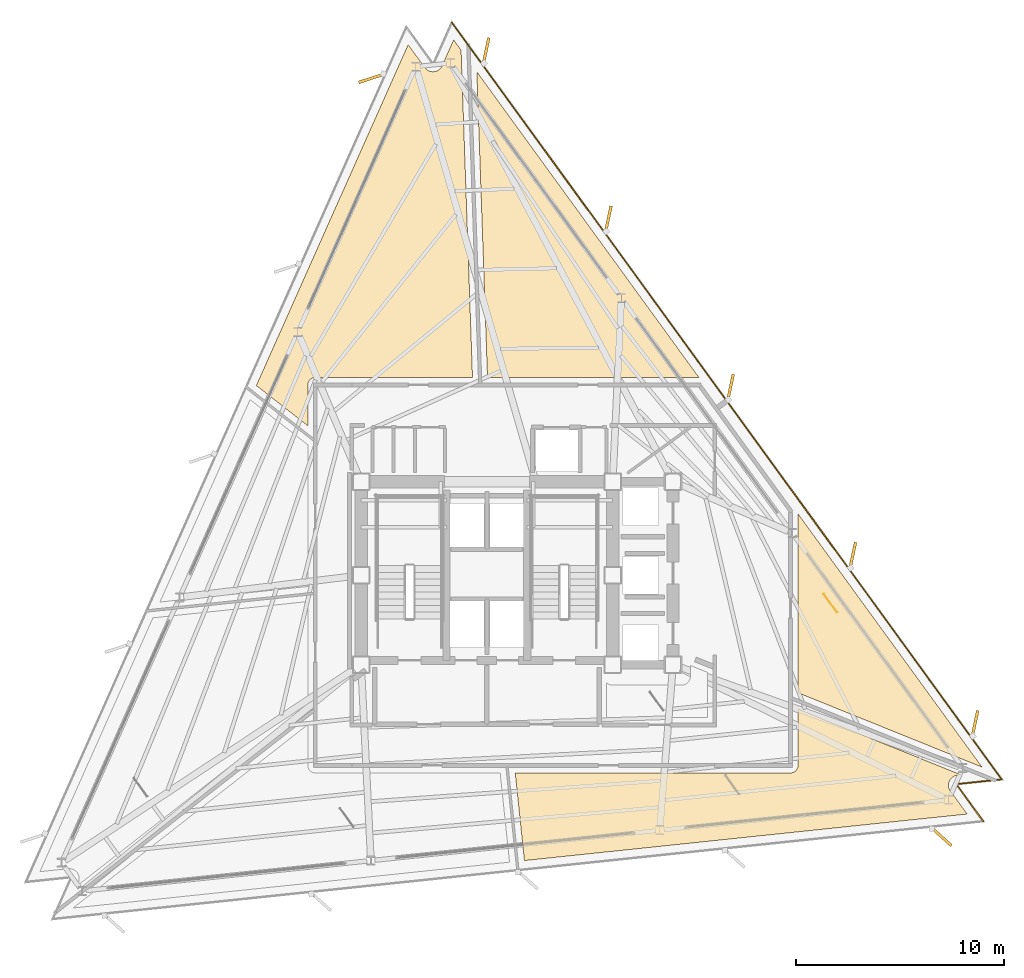
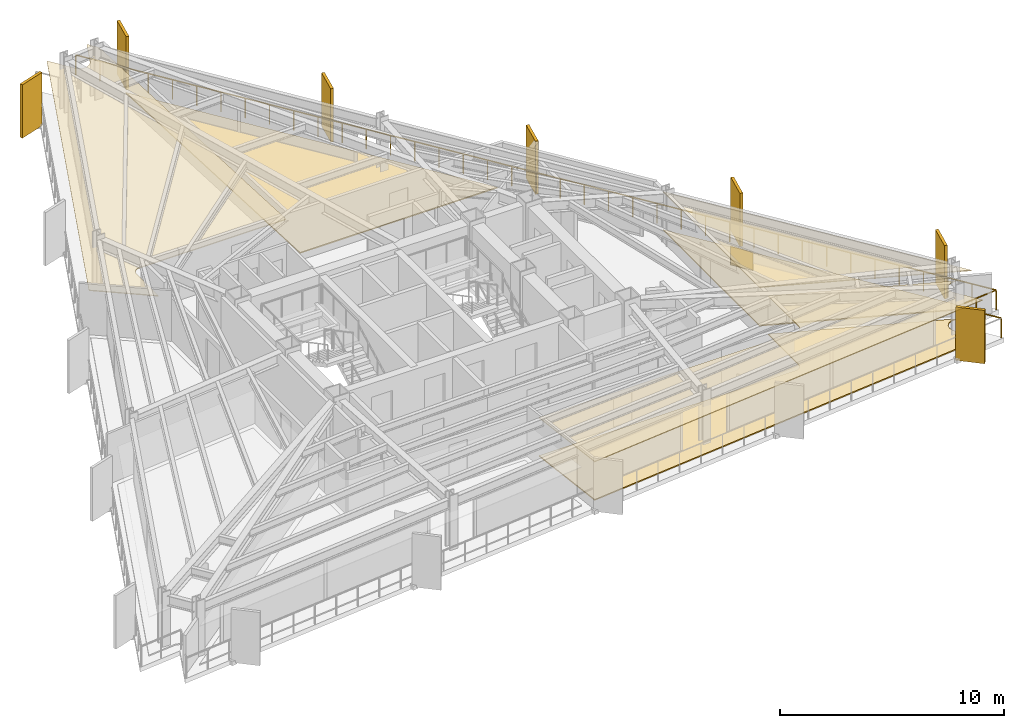
# One storey, part 12 of 12: 7 coverings, 7 shading devices, 1 railing.
"""IFC4 building model written with IfcOpenShell, lengths in metres."""

from ifc_helpers import new_model, si_unit, direction, frame, origin, origin_2d, place, context, subcontext, project, spatial, polyline, rectangle, outline, extrude, material, layer, layer_set, type_object, element, save


model = new_model("IFC4")

# Units and contexts
model_context = context("Model", 3, precision=1e-05, world=origin(), true_north=direction((0.0, 1.0)))
body_context = subcontext(model_context, "Body", "Model", "MODEL_VIEW")
ifc_project = project(units=[si_unit("LENGTHUNIT", "METRE"), si_unit("AREAUNIT", "SQUARE_METRE"), si_unit("VOLUMEUNIT", "CUBIC_METRE"), si_unit("PLANEANGLEUNIT", "RADIAN"), si_unit("MASSUNIT", "GRAM", prefix="KILO")], contexts=[model_context])

# Site, building, storey
site_placement = place(None, origin())
site = spatial("IfcSite", under=ifc_project, at=site_placement, CompositionType="ELEMENT")
building_placement = place(site_placement, origin())
building = spatial("IfcBuilding", under=site, at=building_placement, Name="Rocaltana Carrier Exchange", CompositionType="ELEMENT")
storey_placement = place(building_placement, frame((0.0, 0.0, 107.679931640625)))
storey = spatial("IfcBuildingStorey", under=building, at=storey_placement, Name="L33", CompositionType="ELEMENT", Elevation=107.679931640625)

# Coverings
ifc_material_1 = material(Name="Calcium Sulphate & Aluminium Pedestal", Category="aluminium")
ifc_layer_1 = layer(ifc_material_1, 0.06005859375)
ifc_layer_set_1 = layer_set([ifc_layer_1], Name="Calcium Sulphate & Aluminium Pedestal")
covering_type_1 = type_object("IfcCoveringType", Name="Anti-Static Raised Exchange Access Floor 60", PredefinedType="FLOORING", material=ifc_layer_set_1)
covering_1_placement = place(storey_placement, origin())
element("IfcCovering", 1, at=covering_1_placement, inside=storey, type_object=covering_type_1, Name="L33 Cloud Architecture Office Finish Floor", PredefinedType="FLOORING", context=body_context, shape_type="SweptSolid", body=[
    extrude(outline(polyline([(22.62939453125, -9.620361328125), (22.61572265625, -9.6220703125), (22.595947265625, -9.625244140625), (22.568603515625, -9.630859375), (22.54931640625, -9.635986328125), (22.522705078125, -9.644287109375), (22.50390625, -9.651123046875), (22.478271484375, -9.662109375), (22.46044921875, -9.6708984375), (22.43603515625, -9.684326171875), (22.4189453125, -9.69482421875), (22.39599609375, -9.710693359375), (22.380126953125, -9.722900390625), (22.35888671875, -9.74072265625), (22.344482421875, -9.75439453125), (22.324951171875, -9.774658203125), (22.311767578125, -9.78955078125), (22.294677734375, -9.8115234375), (22.282958984375, -9.82763671875), (22.26806640625, -9.851318359375), (22.258056640625, -9.86865234375), (22.24560546875, -9.8935546875), (22.2373046875, -9.91162109375), (22.227294921875, -9.937744140625), (22.220947265625, -9.956787109375), (22.213623046875, -9.983642578125), (22.209228515625, -10.0029296875), (22.20458984375, -10.030517578125), (22.2021484375, -10.05029296875), (22.2001953125, -10.078125), (22.19970703125, -10.09814453125), (22.20068359375, -10.1259765625), (22.202392578125, -10.14599609375), (22.205810546875, -10.173583984375), (22.20947265625, -10.193115234375), (22.2158203125, -10.220458984375), (22.22119140625, -10.239501953125), (22.230224609375, -10.26611328125), (22.23779296875, -10.284423828125), (22.249267578125, -10.309814453125), (22.258544921875, -10.32763671875), (22.272705078125, -10.351806640625), (22.283447265625, -10.368408203125), (22.29150390625, -10.3798828125), (23.095947265625, -11.487060546875), (1.804443359375, -13.724853515625), (1.361572265625, -9.510009765625), (14.60009765625, -9.510009765625), (14.61376953125, -9.509765625), (14.62158203125, -9.50927734375), (14.64892578125, -9.506591796875), (14.65673828125, -9.50537109375), (14.68359375, -9.5), (14.69140625, -9.498291015625), (14.717529296875, -9.490234375), (14.724853515625, -9.487548828125), (14.750244140625, -9.47705078125), (14.75732421875, -9.4736328125), (14.78173828125, -9.460693359375), (14.788330078125, -9.456787109375), (14.811279296875, -9.44140625), (14.8173828125, -9.436767578125), (14.8388671875, -9.419189453125), (14.844482421875, -9.4140625), (14.864013671875, -9.39453125), (14.869384765625, -9.388916015625), (14.88671875, -9.367431640625), (14.891357421875, -9.361083984375), (14.90673828125, -9.33837890625), (14.91064453125, -9.331787109375), (14.923583984375, -9.307373046875), (14.927001953125, -9.30029296875), (14.9375, -9.27490234375), (14.940185546875, -9.267578125), (14.9482421875, -9.2412109375), (14.9501953125, -9.233642578125), (14.955322265625, -9.206787109375), (14.95654296875, -9.198974609375), (14.959228515625, -9.171630859375), (14.959716796875, -9.163818359375), (14.9599609375, -9.14990234375), (14.9599609375, -6.4326171875), (22.8046875, -9.601806640625), (22.62939453125, -9.620361328125)])), origin(), (0.0, 0.0, 1.0), 0.06005859375),
])
covering_2_placement = place(storey_placement, origin())
element("IfcCovering", 2, at=covering_2_placement, inside=storey, type_object=covering_type_1, Name="L33 Peering Conference Room Finish Floor", PredefinedType="FLOORING", context=body_context, shape_type="SweptSolid", body=[
    extrude(outline(polyline([(14.9599609375, 2.952392578125), (23.813232421875, -9.23291015625), (14.9599609375, -5.656005859375), (14.9599609375, 2.952392578125)])), origin(), (0.0, 0.0, 1.0), 0.06005859375),
])
covering_3_placement = place(storey_placement, origin())
element("IfcCovering", 3, at=covering_3_placement, inside=storey, type_object=covering_type_1, Name="L33 Quiet Focus Lounge Finish Floor", PredefinedType="FLOORING", context=body_context, shape_type="SweptSolid", body=[
    extrude(outline(polyline([(10.19580078125, 9.510009765625), (0.028076171875, 9.510009765625), (-0.485107421875, 24.2109375), (10.19580078125, 9.510009765625)])), origin(), (0.0, 0.0, 1.0), 0.06005859375),
])
ifc_material_2 = material(Name="Mineral Fibre & Powder-Coated Aluminium", Category="aluminium")
ifc_layer_2 = layer(ifc_material_2, 0.044921875)
ifc_layer_set_2 = layer_set([ifc_layer_2], Name="Mineral Fibre & Powder-Coated Aluminium")
covering_type_2 = type_object("IfcCoveringType", Name="Micro-Perforated Acoustic Ceiling 45", PredefinedType="CEILING", material=ifc_layer_set_2)
covering_4_placement = place(storey_placement, frame((0.0, 0.0, 2.093017578125)))
element("IfcCovering", 4, at=covering_4_placement, inside=storey, type_object=covering_type_2, Name="L33 Cloud Architecture Office Acoustic Ceiling", PredefinedType="CEILING", context=body_context, shape_type="SweptSolid", body=[
    extrude(outline(polyline([(22.62939453125, -9.620361328125), (22.61572265625, -9.6220703125), (22.595947265625, -9.625244140625), (22.568603515625, -9.630859375), (22.54931640625, -9.635986328125), (22.522705078125, -9.644287109375), (22.50390625, -9.651123046875), (22.478271484375, -9.662109375), (22.46044921875, -9.6708984375), (22.43603515625, -9.684326171875), (22.4189453125, -9.69482421875), (22.39599609375, -9.710693359375), (22.380126953125, -9.722900390625), (22.35888671875, -9.74072265625), (22.344482421875, -9.75439453125), (22.324951171875, -9.774658203125), (22.311767578125, -9.78955078125), (22.294677734375, -9.8115234375), (22.282958984375, -9.82763671875), (22.26806640625, -9.851318359375), (22.258056640625, -9.86865234375), (22.24560546875, -9.8935546875), (22.2373046875, -9.91162109375), (22.227294921875, -9.937744140625), (22.220947265625, -9.956787109375), (22.213623046875, -9.983642578125), (22.209228515625, -10.0029296875), (22.20458984375, -10.030517578125), (22.2021484375, -10.05029296875), (22.2001953125, -10.078125), (22.19970703125, -10.09814453125), (22.20068359375, -10.1259765625), (22.202392578125, -10.14599609375), (22.205810546875, -10.173583984375), (22.20947265625, -10.193115234375), (22.2158203125, -10.220458984375), (22.22119140625, -10.239501953125), (22.230224609375, -10.26611328125), (22.23779296875, -10.284423828125), (22.249267578125, -10.309814453125), (22.258544921875, -10.32763671875), (22.272705078125, -10.351806640625), (22.283447265625, -10.368408203125), (22.29150390625, -10.3798828125), (23.095947265625, -11.487060546875), (1.804443359375, -13.724853515625), (1.361572265625, -9.510009765625), (14.60009765625, -9.510009765625), (14.61376953125, -9.509765625), (14.62158203125, -9.50927734375), (14.64892578125, -9.506591796875), (14.65673828125, -9.50537109375), (14.68359375, -9.5), (14.69140625, -9.498291015625), (14.717529296875, -9.490234375), (14.724853515625, -9.487548828125), (14.750244140625, -9.47705078125), (14.75732421875, -9.4736328125), (14.78173828125, -9.460693359375), (14.788330078125, -9.456787109375), (14.811279296875, -9.44140625), (14.8173828125, -9.436767578125), (14.8388671875, -9.419189453125), (14.844482421875, -9.4140625), (14.864013671875, -9.39453125), (14.869384765625, -9.388916015625), (14.88671875, -9.367431640625), (14.891357421875, -9.361083984375), (14.90673828125, -9.33837890625), (14.91064453125, -9.331787109375), (14.923583984375, -9.307373046875), (14.927001953125, -9.30029296875), (14.9375, -9.27490234375), (14.940185546875, -9.267578125), (14.9482421875, -9.2412109375), (14.9501953125, -9.233642578125), (14.955322265625, -9.206787109375), (14.95654296875, -9.198974609375), (14.959228515625, -9.171630859375), (14.959716796875, -9.163818359375), (14.9599609375, -9.14990234375), (14.9599609375, -6.4326171875), (22.8046875, -9.601806640625), (22.62939453125, -9.620361328125)])), origin(), (0.0, 0.0, 1.0), 0.045166015625),
])
covering_5_placement = place(storey_placement, frame((0.0, 0.0, 2.093017578125)))
element("IfcCovering", 5, at=covering_5_placement, inside=storey, type_object=covering_type_2, Name="L33 Peering Conference Room Acoustic Ceiling", PredefinedType="CEILING", context=body_context, shape_type="SweptSolid", body=[
    extrude(outline(polyline([(14.9599609375, 2.952392578125), (23.813232421875, -9.23291015625), (14.9599609375, -5.656005859375), (14.9599609375, 2.952392578125)])), origin(), (0.0, 0.0, 1.0), 0.045166015625),
])
covering_6_placement = place(storey_placement, frame((0.0, 0.0, 2.093017578125)))
element("IfcCovering", 6, at=covering_6_placement, inside=storey, type_object=covering_type_2, Name="L33 Cloud Architecture Office Acoustic Ceiling", PredefinedType="CEILING", context=body_context, shape_type="SweptSolid", body=[
    extrude(outline(polyline([(-3.787841796875, 25.51513671875), (-2.9833984375, 24.407958984375), (-2.974853515625, 24.39697265625), (-2.96240234375, 24.38134765625), (-2.943603515625, 24.360595703125), (-2.9296875, 24.34619140625), (-2.9091796875, 24.327392578125), (-2.893798828125, 24.314697265625), (-2.87158203125, 24.2978515625), (-2.85498046875, 24.286865234375), (-2.8310546875, 24.272216796875), (-2.8134765625, 24.262939453125), (-2.788330078125, 24.2509765625), (-2.77001953125, 24.243408203125), (-2.74365234375, 24.23388671875), (-2.724609375, 24.22802734375), (-2.697509765625, 24.22119140625), (-2.677978515625, 24.217529296875), (-2.650390625, 24.21337890625), (-2.630615234375, 24.211669921875), (-2.6025390625, 24.210205078125), (-2.58251953125, 24.21044921875), (-2.5546875, 24.2119140625), (-2.534912109375, 24.214111328125), (-2.50732421875, 24.21826171875), (-2.48779296875, 24.222412109375), (-2.460693359375, 24.2294921875), (-2.44189453125, 24.2353515625), (-2.41552734375, 24.2451171875), (-2.397216796875, 24.2529296875), (-2.372314453125, 24.26513671875), (-2.354736328125, 24.274658203125), (-2.3310546875, 24.289306640625), (-2.314697265625, 24.30078125), (-2.29248046875, 24.317626953125), (-2.277099609375, 24.33056640625), (-2.2568359375, 24.349609375), (-2.242919921875, 24.364013671875), (-2.224609375, 24.385009765625), (-2.212158203125, 24.400634765625), (-2.196044921875, 24.42333984375), (-2.185302734375, 24.440185546875), (-2.17138671875, 24.464599609375), (-2.16259765625, 24.482421875), (-2.156494140625, 24.494873046875), (-1.599853515625, 25.7451171875), (-1.2421875, 25.252685546875), (-0.6923828125, 9.510009765625), (-8.25, 9.510009765625), (-8.263671875, 9.509765625), (-8.271484375, 9.50927734375), (-8.298828125, 9.506591796875), (-8.306640625, 9.50537109375), (-8.33349609375, 9.5), (-8.34130859375, 9.498291015625), (-8.36767578125, 9.490234375), (-8.375, 9.487548828125), (-8.400390625, 9.47705078125), (-8.407470703125, 9.4736328125), (-8.431640625, 9.460693359375), (-8.4384765625, 9.456787109375), (-8.461181640625, 9.44140625), (-8.467529296875, 9.436767578125), (-8.48876953125, 9.419189453125), (-8.49462890625, 9.4140625), (-8.513916015625, 9.39453125), (-8.519287109375, 9.388916015625), (-8.53662109375, 9.367431640625), (-8.54150390625, 9.361083984375), (-8.556640625, 9.33837890625), (-8.560791015625, 9.331787109375), (-8.57373046875, 9.307373046875), (-8.576904296875, 9.30029296875), (-8.58740234375, 9.27490234375), (-8.590087890625, 9.267578125), (-8.59814453125, 9.2412109375), (-8.60009765625, 9.233642578125), (-8.60546875, 9.206787109375), (-8.606689453125, 9.198974609375), (-8.609375, 9.171630859375), (-8.609619140625, 9.163818359375), (-8.610107421875, 9.14990234375), (-8.610107421875, 7.18359375), (-11.087646484375, 9.119384765625), (-3.787841796875, 25.51513671875)])), origin(), (0.0, 0.0, 1.0), 0.045166015625),
])
ifc_material_3 = material(Name="Honed Piedra Muneca Sandstone", Category="masonry")
ifc_layer_3 = layer(ifc_material_3, 0.034912109375)
ifc_layer_set_3 = layer_set([ifc_layer_3], Name="Honed Piedra Muneca Sandstone")
covering_type_3 = type_object("IfcCoveringType", Name="Stone Facade Cladding 35", PredefinedType="CLADDING", material=ifc_layer_set_3)
covering_7_placement = place(storey_placement, frame((16.523681640625, -1.351806640625, 0.0), z_axis=(0.0, 0.0, 1.0), x_axis=(-0.587785252292, 0.809016994375, 0.0)))
element("IfcCovering", 7, at=covering_7_placement, inside=storey, type_object=covering_type_3, Name="L33 Stone Facade Cladding Panel 5", PredefinedType="CLADDING", context=body_context, shape_type="SweptSolid", body=[
    extrude(rectangle(XDim=1.10009765625, YDim=0.034912109375, at=origin_2d()), origin(), (0.0, 0.0, 1.0), 1.050048828125),
])

# Shading devices
ifc_material_4 = material(Name="Honed Bogota Sandstone & Concrete C45/55", Category="masonry")
ifc_layer_4 = layer(ifc_material_4, 0.139892578125)
ifc_layer_set_4 = layer_set([ifc_layer_4], Name="Honed Bogota Sandstone & Concrete C45/55")
shading_device_type = type_object("IfcShadingDeviceType", Name="Vertical Sandstone Shading Fin 1320x140", PredefinedType="USERDEFINED", material=ifc_layer_set_4)
for number, where, z_axis, x_axis, name in (
    (8, (23.46826171875, -7.15771484375, -0.1201171875), (0.0, 0.0, 1.0), (0.207911690818, 0.978147600734, 0.0), "L33 Sandstone Vertical Fin F1-01"),
    (9, (17.590576171875, 0.932373046875, -0.1201171875), (0.0, 0.0, 1.0), (0.207911690818, 0.978147600734, 0.0), "L33 Sandstone Vertical Fin F1-02"),
    (10, (11.712646484375, 9.0224609375, -0.1201171875), (0.0, 0.0, 1.0), (0.207911690818, 0.978147600734, 0.0), "L33 Sandstone Vertical Fin F1-03"),
    (11, (5.834716796875, 17.11279296875, -0.1201171875), (0.0, 0.0, 1.0), (0.207911690818, 0.978147600734, 0.0), "L33 Sandstone Vertical Fin F1-04"),
    (12, (-0.043212890625, 25.202880859375, -0.1201171875), (0.0, 0.0, 1.0), (0.207911690818, 0.978147600734, 0.0), "L33 Sandstone Vertical Fin F1-05"),
    (13, (-5.535400390625, 23.903076171875, -0.1201171875), (0.0, 0.0, 1.0), (-0.951056516295, -0.309016994375, 0.0), "L33 Sandstone Vertical Fin F2-01"),
    (14, (21.847900390625, -12.564208984375, -0.1201171875), (0.0, 0.0, 1.0), (0.743144825477, -0.669130606359, 0.0), "L33 Sandstone Vertical Fin F3-05"),
):
    element("IfcShadingDevice", number, at=place(storey_placement, frame(where, z_axis=z_axis, x_axis=x_axis)), inside=storey, type_object=shading_device_type, Name=name, ObjectType="FIN", PredefinedType="USERDEFINED", context=body_context, shape_type="SweptSolid", body=[
        extrude(rectangle(XDim=1.320068359375, YDim=0.139892578125, at=origin_2d()), origin(), (0.0, 0.0, 1.0), 2.907958984375),
    ])

# Railing
ifc_material_5 = material(Name="Powder-Coated Aluminium 6063-T6", Category="aluminium")
ifc_layer_5 = layer(ifc_material_5, 0.06005859375)
ifc_layer_set_5 = layer_set([ifc_layer_5], Name="Powder-Coated Aluminium 6063-T6")
railing_type = type_object("IfcRailingType", Name="Wind-Floor & Terrace Perimeter Guardrail 1100", PredefinedType="GUARDRAIL", material=ifc_layer_set_5)
railing_placement = place(storey_placement, frame((-1.687744140625, 26.58056640625, 0.0)))
element("IfcRailing", 15, at=railing_placement, inside=storey, type_object=railing_type, Name="L33 Perimeter Balcony Guardrail 3", PredefinedType="GUARDRAIL", context=body_context, shape_type="SweptSolid", body=[
    extrude(rectangle(XDim=0.048095703125, YDim=0.048095703125, at=origin_2d()), frame((0.0, 0.0, 1.076171875), z_axis=(0.587786393813, -0.809016165011, 0.0), x_axis=(0.809016165011, 0.587786393813, 0.0)), (0.0, 0.0, 1.0), 44.9921875),
    extrude(rectangle(XDim=0.048095703125, YDim=0.048095703125, at=origin_2d()), frame((26.44580078125, -36.3994140625, 1.076171875), z_axis=(-0.994521251134, -0.104534592565, 0.0), x_axis=(0.104534592565, -0.994521251134, 0.0)), (0.0, 0.0, 1.0), 2.199951171875),
    extrude(rectangle(XDim=0.048095703125, YDim=0.048095703125, at=origin_2d()), frame((24.2578125, -36.62939453125, 1.076171875), z_axis=(0.587821928992, -0.808990345923, 0.0), x_axis=(0.808990345923, 0.587821928992, 0.0)), (0.0, 0.0, 1.0), 2.199951171875),
    extrude(rectangle(XDim=0.0419921875, YDim=0.0419921875, at=origin_2d()), origin(), (0.0, 0.0, 1.0), 1.052001953125),
    extrude(rectangle(XDim=0.0419921875, YDim=0.0419921875, at=origin_2d()), frame((0.696044921875, -0.957763671875, 0.0)), (0.0, 0.0, 1.0), 1.052001953125),
    extrude(rectangle(XDim=0.0419921875, YDim=0.0419921875, at=origin_2d()), frame((1.391845703125, -1.915771484375, 0.0)), (0.0, 0.0, 1.0), 1.052001953125),
    extrude(rectangle(XDim=0.0419921875, YDim=0.0419921875, at=origin_2d()), frame((2.087890625, -2.87353515625, 0.0)), (0.0, 0.0, 1.0), 1.052001953125),
    extrude(rectangle(XDim=0.0419921875, YDim=0.0419921875, at=origin_2d()), frame((2.78369140625, -3.83154296875, 0.0)), (0.0, 0.0, 1.0), 1.052001953125),
    extrude(rectangle(XDim=0.0419921875, YDim=0.0419921875, at=origin_2d()), frame((3.479736328125, -4.789306640625, 0.0)), (0.0, 0.0, 1.0), 1.052001953125),
    extrude(rectangle(XDim=0.0419921875, YDim=0.0419921875, at=origin_2d()), frame((4.175537109375, -5.747314453125, 0.0)), (0.0, 0.0, 1.0), 1.052001953125),
    extrude(rectangle(XDim=0.0419921875, YDim=0.0419921875, at=origin_2d()), frame((4.87158203125, -6.705078125, 0.0)), (0.0, 0.0, 1.0), 1.052001953125),
    extrude(rectangle(XDim=0.0419921875, YDim=0.0419921875, at=origin_2d()), frame((5.567626953125, -7.6630859375, 0.0)), (0.0, 0.0, 1.0), 1.052001953125),
    extrude(rectangle(XDim=0.0419921875, YDim=0.0419921875, at=origin_2d()), frame((6.263427734375, -8.620849609375, 0.0)), (0.0, 0.0, 1.0), 1.052001953125),
    extrude(rectangle(XDim=0.0419921875, YDim=0.0419921875, at=origin_2d()), frame((6.95947265625, -9.578857421875, 0.0)), (0.0, 0.0, 1.0), 1.052001953125),
    extrude(rectangle(XDim=0.0419921875, YDim=0.0419921875, at=origin_2d()), frame((7.6552734375, -10.53662109375, 0.0)), (0.0, 0.0, 1.0), 1.052001953125),
    extrude(rectangle(XDim=0.0419921875, YDim=0.0419921875, at=origin_2d()), frame((8.351318359375, -11.49462890625, 0.0)), (0.0, 0.0, 1.0), 1.052001953125),
    extrude(rectangle(XDim=0.0419921875, YDim=0.0419921875, at=origin_2d()), frame((9.04736328125, -12.452392578125, 0.0)), (0.0, 0.0, 1.0), 1.052001953125),
    extrude(rectangle(XDim=0.0419921875, YDim=0.0419921875, at=origin_2d()), frame((9.7431640625, -13.410400390625, 0.0)), (0.0, 0.0, 1.0), 1.052001953125),
    extrude(rectangle(XDim=0.0419921875, YDim=0.0419921875, at=origin_2d()), frame((10.439208984375, -14.3681640625, 0.0)), (0.0, 0.0, 1.0), 1.052001953125),
    extrude(rectangle(XDim=0.0419921875, YDim=0.0419921875, at=origin_2d()), frame((11.135009765625, -15.326171875, 0.0)), (0.0, 0.0, 1.0), 1.052001953125),
    extrude(rectangle(XDim=0.0419921875, YDim=0.0419921875, at=origin_2d()), frame((11.8310546875, -16.283935546875, 0.0)), (0.0, 0.0, 1.0), 1.052001953125),
    extrude(rectangle(XDim=0.0419921875, YDim=0.0419921875, at=origin_2d()), frame((12.52685546875, -17.241943359375, 0.0)), (0.0, 0.0, 1.0), 1.052001953125),
    extrude(rectangle(XDim=0.0419921875, YDim=0.0419921875, at=origin_2d()), frame((13.222900390625, -18.19970703125, 0.0)), (0.0, 0.0, 1.0), 1.052001953125),
    extrude(rectangle(XDim=0.0419921875, YDim=0.0419921875, at=origin_2d()), frame((13.9189453125, -19.157470703125, 0.0)), (0.0, 0.0, 1.0), 1.052001953125),
    extrude(rectangle(XDim=0.0419921875, YDim=0.0419921875, at=origin_2d()), frame((14.61474609375, -20.115478515625, 0.0)), (0.0, 0.0, 1.0), 1.052001953125),
    extrude(rectangle(XDim=0.0419921875, YDim=0.0419921875, at=origin_2d()), frame((15.310791015625, -21.0732421875, 0.0)), (0.0, 0.0, 1.0), 1.052001953125),
    extrude(rectangle(XDim=0.0419921875, YDim=0.0419921875, at=origin_2d()), frame((16.006591796875, -22.03125, 0.0)), (0.0, 0.0, 1.0), 1.052001953125),
    extrude(rectangle(XDim=0.0419921875, YDim=0.0419921875, at=origin_2d()), frame((16.70263671875, -22.989013671875, 0.0)), (0.0, 0.0, 1.0), 1.052001953125),
    extrude(rectangle(XDim=0.0419921875, YDim=0.0419921875, at=origin_2d()), frame((17.3984375, -23.947021484375, 0.0)), (0.0, 0.0, 1.0), 1.052001953125),
    extrude(rectangle(XDim=0.0419921875, YDim=0.0419921875, at=origin_2d()), frame((18.094482421875, -24.90478515625, 0.0)), (0.0, 0.0, 1.0), 1.052001953125),
    extrude(rectangle(XDim=0.0419921875, YDim=0.0419921875, at=origin_2d()), frame((18.79052734375, -25.86279296875, 0.0)), (0.0, 0.0, 1.0), 1.052001953125),
    extrude(rectangle(XDim=0.0419921875, YDim=0.0419921875, at=origin_2d()), frame((19.486328125, -26.820556640625, 0.0)), (0.0, 0.0, 1.0), 1.052001953125),
    extrude(rectangle(XDim=0.0419921875, YDim=0.0419921875, at=origin_2d()), frame((20.182373046875, -27.778564453125, 0.0)), (0.0, 0.0, 1.0), 1.052001953125),
    extrude(rectangle(XDim=0.0419921875, YDim=0.0419921875, at=origin_2d()), frame((20.878173828125, -28.736328125, 0.0)), (0.0, 0.0, 1.0), 1.052001953125),
    extrude(rectangle(XDim=0.0419921875, YDim=0.0419921875, at=origin_2d()), frame((21.57421875, -29.6943359375, 0.0)), (0.0, 0.0, 1.0), 1.052001953125),
    extrude(rectangle(XDim=0.0419921875, YDim=0.0419921875, at=origin_2d()), frame((22.270263671875, -30.652099609375, 0.0)), (0.0, 0.0, 1.0), 1.052001953125),
    extrude(rectangle(XDim=0.0419921875, YDim=0.0419921875, at=origin_2d()), frame((22.966064453125, -31.610107421875, 0.0)), (0.0, 0.0, 1.0), 1.052001953125),
    extrude(rectangle(XDim=0.0419921875, YDim=0.0419921875, at=origin_2d()), frame((23.662109375, -32.56787109375, 0.0)), (0.0, 0.0, 1.0), 1.052001953125),
    extrude(rectangle(XDim=0.0419921875, YDim=0.0419921875, at=origin_2d()), frame((24.35791015625, -33.52587890625, 0.0)), (0.0, 0.0, 1.0), 1.052001953125),
    extrude(rectangle(XDim=0.0419921875, YDim=0.0419921875, at=origin_2d()), frame((25.053955078125, -34.483642578125, 0.0)), (0.0, 0.0, 1.0), 1.052001953125),
    extrude(rectangle(XDim=0.0419921875, YDim=0.0419921875, at=origin_2d()), frame((25.749755859375, -35.441650390625, 0.0)), (0.0, 0.0, 1.0), 1.052001953125),
    extrude(rectangle(XDim=0.0419921875, YDim=0.0419921875, at=origin_2d()), frame((26.44580078125, -36.3994140625, 0.0)), (0.0, 0.0, 1.0), 1.052001953125),
    extrude(rectangle(XDim=0.0419921875, YDim=0.0419921875, at=origin_2d()), frame((25.351806640625, -36.514404296875, 0.0)), (0.0, 0.0, 1.0), 1.052001953125),
    extrude(rectangle(XDim=0.0419921875, YDim=0.0419921875, at=origin_2d()), frame((24.2578125, -36.62939453125, 0.0)), (0.0, 0.0, 1.0), 1.052001953125),
    extrude(rectangle(XDim=0.0419921875, YDim=0.0419921875, at=origin_2d()), frame((24.904296875, -37.519287109375, 0.0)), (0.0, 0.0, 1.0), 1.052001953125),
    extrude(rectangle(XDim=0.0419921875, YDim=0.0419921875, at=origin_2d()), frame((25.551025390625, -38.4091796875, 0.0)), (0.0, 0.0, 1.0), 1.052001953125),
])

save(model, "model.ifc")
